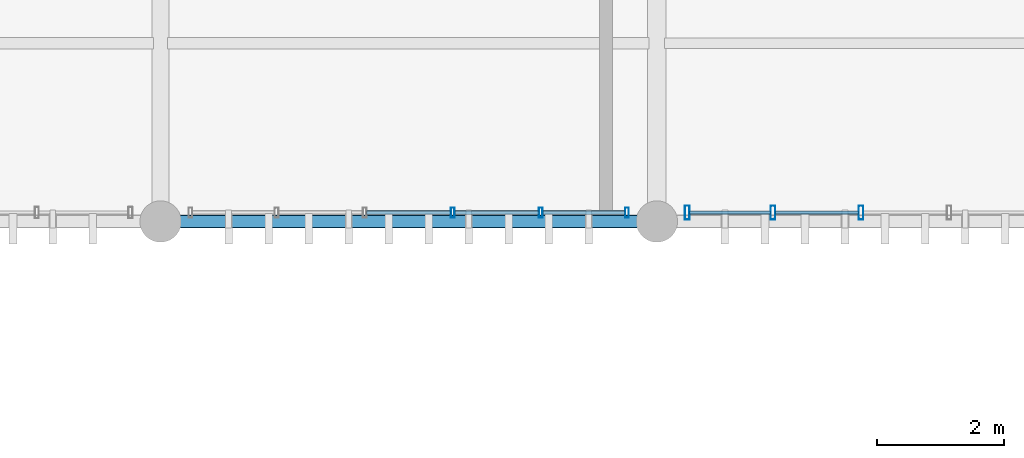
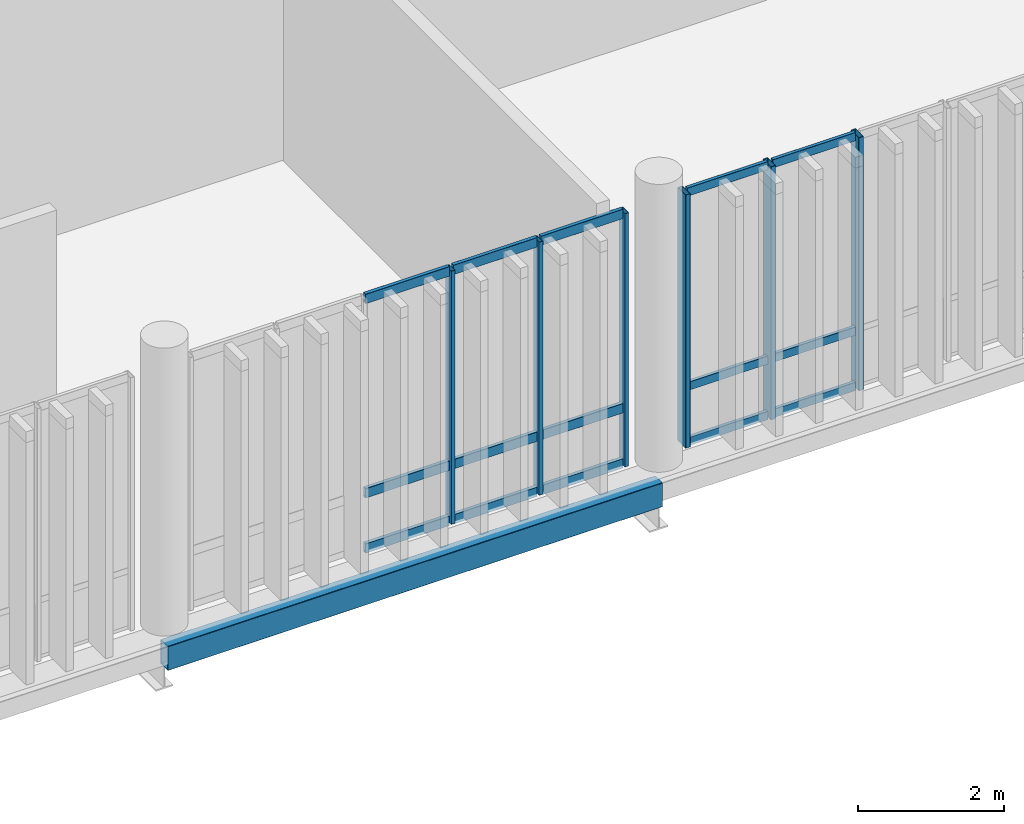
# One storey, part 46 of 86: 21 members, 1 beam, 2 elements without a shape of their own.
"""IFC4 building model written with IfcOpenShell, lengths in metres."""

from ifc_helpers import new_model, si_unit, direction, frame, origin_with_axes, origin_2d_with_axis, place, context, subcontext, project, spatial, hollow_rectangle, extrude, material, material_profile, profile_set, type_object, element, aggregate, save


model = new_model("IFC4")

# Units and contexts
model_context = context("Model", 3, precision=1e-05, world=origin_with_axes(), true_north=direction((0.0, 1.0)))
body_context = subcontext(model_context, "Body", "Model", "MODEL_VIEW")
ifc_project = project(units=[si_unit("LENGTHUNIT", "METRE"), si_unit("AREAUNIT", "SQUARE_METRE"), si_unit("VOLUMEUNIT", "CUBIC_METRE"), si_unit("PLANEANGLEUNIT", "RADIAN"), si_unit("MASSUNIT", "GRAM", prefix="KILO"), si_unit("THERMODYNAMICTEMPERATUREUNIT", "KELVIN")], contexts=[model_context])

# Site, building, storey
site_placement = place(None, origin_with_axes())
site = spatial("IfcSite", under=ifc_project, at=site_placement, CompositionType="ELEMENT")
building_placement = place(site_placement, origin_with_axes())
building = spatial("IfcBuilding", under=site, at=building_placement, Name="Montbau Bow Law Courts", CompositionType="ELEMENT")
storey_placement = place(building_placement, frame((0.0, 0.0, 29.7), z_axis=(0.0, 0.0, 1.0), x_axis=(1.0, 0.0, 0.0)))
storey = spatial("IfcBuildingStorey", under=building, at=storey_placement, Name="L06", CompositionType="ELEMENT", Elevation=29.7)

# Beam
ifc_material_1 = material(Name="Steel CSA G40.21 Grade 350WT (350 MPa)", Category="steel")
ifc_material_profile_1 = material_profile(ifc_material_1, hollow_rectangle(XDim=0.203, YDim=0.406, WallThickness=0.0127, InnerFilletRadius=0.0254, OuterFilletRadius=0.0127, at=origin_2d_with_axis()), Name="HSS406X203X13", Category="Main", Priority=0)
ifc_profile_set_1 = profile_set([ifc_material_profile_1], Name="Steel CSA G40.21 Grade 350WT (350 MPa)")
beam_type = type_object("IfcBeamType", Name="B-SPN-01", PredefinedType="SPANDREL", material=ifc_profile_set_1)
beam_placement = place(None, frame((147.0, 78.0, 29.157), z_axis=(1.0, 0.0, 0.0), x_axis=(0.0, 1.0, 0.0)))
element("IfcBeam", 1, at=beam_placement, inside=storey, type_object=beam_type, Name="SPN-L06-S1299:bm2_1302", PredefinedType="SPANDREL", context=body_context, shape_type="SweptSolid", body=[
    extrude(hollow_rectangle(XDim=0.203, YDim=0.406, WallThickness=0.0127, InnerFilletRadius=0.0254, OuterFilletRadius=0.0127, at=origin_2d_with_axis()), origin_with_axes(), (0.0, 0.0, 1.0), 7.8),
])

# Curtain wall, members
ifc_material_2 = material(Name="Thermally Broken Extruded Aluminium AA 6063-T6", Category="aluminium")
curtain_wall_type = type_object("IfcCurtainWallType", Name="CW-SLT-02", PredefinedType="NOTDEFINED", material=ifc_material_2)
curtain_wall_1_placement = place(None, frame((155.24, 78.14, 29.7), z_axis=(0.0, 0.0, 1.0), x_axis=(1.0, 0.0, 0.0)))
curtain_wall_1 = element("IfcCurtainWall", 2, at=curtain_wall_1_placement, inside=storey, type_object=curtain_wall_type, Name="CW-L06-351:cw_0351", PredefinedType="NOTDEFINED")
ifc_material_profile_2 = material_profile(ifc_material_2, hollow_rectangle(XDim=0.075, YDim=0.22, WallThickness=0.005, InnerFilletRadius=0.01, OuterFilletRadius=0.005, at=origin_2d_with_axis()), Name="CWM-220X75", Category="Main", Priority=0)
ifc_profile_set_2 = profile_set([ifc_material_profile_2], Name="Thermally Broken Extruded Aluminium AA 6063-T6")
member_type_1 = type_object("IfcMemberType", Name="M-MUL-01", PredefinedType="MULLION", material=ifc_profile_set_2)
member_1_placement = place(None, frame((155.277, 78.14, 29.7), z_axis=(0.0, 0.0, 1.0), x_axis=(1.0, 0.0, 0.0)))
member_1 = element("IfcMember", 3, at=member_1_placement, type_object=member_type_1, Name="CW-L06-351-M01:cw_0351_M01", PredefinedType="MULLION", context=body_context, shape_type="SweptSolid", body=[
    extrude(hollow_rectangle(XDim=0.075, YDim=0.22, WallThickness=0.005, InnerFilletRadius=0.01, OuterFilletRadius=0.005, at=origin_2d_with_axis()), origin_with_axes(), (0.0, 0.0, 1.0), 4.22),
])
member_2_placement = place(None, frame((156.624, 78.14, 29.7), z_axis=(0.0, 0.0, 1.0), x_axis=(1.0, 0.0, 0.0)))
member_2 = element("IfcMember", 4, at=member_2_placement, type_object=member_type_1, Name="CW-L06-351-M02:cw_0351_M02", PredefinedType="MULLION", context=body_context, shape_type="SweptSolid", body=[
    extrude(hollow_rectangle(XDim=0.075, YDim=0.22, WallThickness=0.005, InnerFilletRadius=0.01, OuterFilletRadius=0.005, at=origin_2d_with_axis()), origin_with_axes(), (0.0, 0.0, 1.0), 4.22),
])
member_3_placement = place(None, frame((158.008, 78.14, 29.7), z_axis=(0.0, 0.0, 1.0), x_axis=(1.0, 0.0, 0.0)))
member_3 = element("IfcMember", 5, at=member_3_placement, type_object=member_type_1, Name="CW-L06-351-M03:cw_0351_M03", PredefinedType="MULLION", context=body_context, shape_type="SweptSolid", body=[
    extrude(hollow_rectangle(XDim=0.075, YDim=0.22, WallThickness=0.005, InnerFilletRadius=0.01, OuterFilletRadius=0.005, at=origin_2d_with_axis()), origin_with_axes(), (0.0, 0.0, 1.0), 4.22),
])

curtain_wall_2_placement = place(None, frame((147.44, 78.14, 29.7), z_axis=(0.0, 0.0, 1.0), x_axis=(1.0, 0.0, 0.0)))
curtain_wall_2 = element("IfcCurtainWall", 6, at=curtain_wall_2_placement, inside=storey, type_object=curtain_wall_type, Name="CW-L06-350:cw_0350", PredefinedType="NOTDEFINED")
ifc_material_profile_3 = material_profile(ifc_material_2, hollow_rectangle(XDim=0.06, YDim=0.16, WallThickness=0.004, InnerFilletRadius=0.008, OuterFilletRadius=0.004, at=origin_2d_with_axis()), Name="CWM-160X60", Category="Main", Priority=0)
ifc_profile_set_3 = profile_set([ifc_material_profile_3], Name="Thermally Broken Extruded Aluminium AA 6063-T6")
member_type_2 = type_object("IfcMemberType", Name="M-MUL-03", PredefinedType="MULLION", material=ifc_profile_set_3)
member_4_placement = place(None, frame((151.592, 78.14, 29.7), z_axis=(0.0, 0.0, 1.0), x_axis=(1.0, 0.0, 0.0)))
member_4 = element("IfcMember", 7, at=member_4_placement, type_object=member_type_2, Name="CW-L06-350-M04:cw_0350_M04", PredefinedType="MULLION", context=body_context, shape_type="SweptSolid", body=[
    extrude(hollow_rectangle(XDim=0.06, YDim=0.16, WallThickness=0.004, InnerFilletRadius=0.008, OuterFilletRadius=0.004, at=origin_2d_with_axis()), origin_with_axes(), (0.0, 0.0, 1.0), 4.22),
])
member_5_placement = place(None, frame((152.976, 78.14, 29.7), z_axis=(0.0, 0.0, 1.0), x_axis=(1.0, 0.0, 0.0)))
member_5 = element("IfcMember", 8, at=member_5_placement, type_object=member_type_2, Name="CW-L06-350-M05:cw_0350_M05", PredefinedType="MULLION", context=body_context, shape_type="SweptSolid", body=[
    extrude(hollow_rectangle(XDim=0.06, YDim=0.16, WallThickness=0.004, InnerFilletRadius=0.008, OuterFilletRadius=0.004, at=origin_2d_with_axis()), origin_with_axes(), (0.0, 0.0, 1.0), 4.22),
])
member_6_placement = place(None, frame((154.33, 78.14, 29.7), z_axis=(0.0, 0.0, 1.0), x_axis=(1.0, 0.0, 0.0)))
member_6 = element("IfcMember", 9, at=member_6_placement, type_object=member_type_2, Name="CW-L06-350-M06:cw_0350_M06", PredefinedType="MULLION", context=body_context, shape_type="SweptSolid", body=[
    extrude(hollow_rectangle(XDim=0.06, YDim=0.16, WallThickness=0.004, InnerFilletRadius=0.008, OuterFilletRadius=0.004, at=origin_2d_with_axis()), origin_with_axes(), (0.0, 0.0, 1.0), 4.22),
])
ifc_material_profile_4 = material_profile(ifc_material_2, hollow_rectangle(XDim=0.06, YDim=0.16, WallThickness=0.004, InnerFilletRadius=0.008, OuterFilletRadius=0.004, at=origin_2d_with_axis()), Name="CWT-160X60", Category="Main", Priority=0)
ifc_profile_set_4 = profile_set([ifc_material_profile_4], Name="Thermally Broken Extruded Aluminium AA 6063-T6")
member_type_3 = type_object("IfcMemberType", Name="M-TRN-01", PredefinedType="USERDEFINED", material=ifc_profile_set_4)
member_7_placement = place(None, frame((150.24, 78.14, 29.73), z_axis=(1.0, 0.0, 0.0), x_axis=(0.0, 1.0, 0.0)))
member_7 = element("IfcMember", 10, at=member_7_placement, type_object=member_type_3, Name="CW-L06-350-T03-1:cw_0350_T03_1", ObjectType="TRANSOM", PredefinedType="USERDEFINED", context=body_context, shape_type="SweptSolid", body=[
    extrude(hollow_rectangle(XDim=0.06, YDim=0.16, WallThickness=0.004, InnerFilletRadius=0.008, OuterFilletRadius=0.004, at=origin_2d_with_axis()), origin_with_axes(), (0.0, 0.0, 1.0), 1.32),
])
member_8_placement = place(None, frame((150.24, 78.14, 30.65), z_axis=(1.0, 0.0, 0.0), x_axis=(0.0, 1.0, 0.0)))
member_8 = element("IfcMember", 11, at=member_8_placement, type_object=member_type_3, Name="CW-L06-350-T03-2:cw_0350_T03_2", ObjectType="TRANSOM", PredefinedType="USERDEFINED", context=body_context, shape_type="SweptSolid", body=[
    extrude(hollow_rectangle(XDim=0.06, YDim=0.16, WallThickness=0.004, InnerFilletRadius=0.008, OuterFilletRadius=0.004, at=origin_2d_with_axis()), origin_with_axes(), (0.0, 0.0, 1.0), 1.32),
])
member_9_placement = place(None, frame((150.24, 78.14, 33.89), z_axis=(1.0, 0.0, 0.0), x_axis=(0.0, 1.0, 0.0)))
member_9 = element("IfcMember", 12, at=member_9_placement, type_object=member_type_3, Name="CW-L06-350-T03-3:cw_0350_T03_3", ObjectType="TRANSOM", PredefinedType="USERDEFINED", context=body_context, shape_type="SweptSolid", body=[
    extrude(hollow_rectangle(XDim=0.06, YDim=0.16, WallThickness=0.004, InnerFilletRadius=0.008, OuterFilletRadius=0.004, at=origin_2d_with_axis()), origin_with_axes(), (0.0, 0.0, 1.0), 1.32),
])
member_10_placement = place(None, frame((151.624, 78.14, 29.73), z_axis=(1.0, 0.0, 0.0), x_axis=(0.0, 1.0, 0.0)))
member_10 = element("IfcMember", 13, at=member_10_placement, type_object=member_type_3, Name="CW-L06-350-T04-1:cw_0350_T04_1", ObjectType="TRANSOM", PredefinedType="USERDEFINED", context=body_context, shape_type="SweptSolid", body=[
    extrude(hollow_rectangle(XDim=0.06, YDim=0.16, WallThickness=0.004, InnerFilletRadius=0.008, OuterFilletRadius=0.004, at=origin_2d_with_axis()), origin_with_axes(), (0.0, 0.0, 1.0), 1.32),
])
member_11_placement = place(None, frame((151.624, 78.14, 30.65), z_axis=(1.0, 0.0, 0.0), x_axis=(0.0, 1.0, 0.0)))
member_11 = element("IfcMember", 14, at=member_11_placement, type_object=member_type_3, Name="CW-L06-350-T04-2:cw_0350_T04_2", ObjectType="TRANSOM", PredefinedType="USERDEFINED", context=body_context, shape_type="SweptSolid", body=[
    extrude(hollow_rectangle(XDim=0.06, YDim=0.16, WallThickness=0.004, InnerFilletRadius=0.008, OuterFilletRadius=0.004, at=origin_2d_with_axis()), origin_with_axes(), (0.0, 0.0, 1.0), 1.32),
])
member_12_placement = place(None, frame((151.624, 78.14, 33.89), z_axis=(1.0, 0.0, 0.0), x_axis=(0.0, 1.0, 0.0)))
member_12 = element("IfcMember", 15, at=member_12_placement, type_object=member_type_3, Name="CW-L06-350-T04-3:cw_0350_T04_3", ObjectType="TRANSOM", PredefinedType="USERDEFINED", context=body_context, shape_type="SweptSolid", body=[
    extrude(hollow_rectangle(XDim=0.06, YDim=0.16, WallThickness=0.004, InnerFilletRadius=0.008, OuterFilletRadius=0.004, at=origin_2d_with_axis()), origin_with_axes(), (0.0, 0.0, 1.0), 1.32),
])
member_13_placement = place(None, frame((153.008, 78.14, 29.73), z_axis=(1.0, 0.0, 0.0), x_axis=(0.0, 1.0, 0.0)))
member_13 = element("IfcMember", 16, at=member_13_placement, type_object=member_type_3, Name="CW-L06-350-T05-1:cw_0350_T05_1", ObjectType="TRANSOM", PredefinedType="USERDEFINED", context=body_context, shape_type="SweptSolid", body=[
    extrude(hollow_rectangle(XDim=0.06, YDim=0.16, WallThickness=0.004, InnerFilletRadius=0.008, OuterFilletRadius=0.004, at=origin_2d_with_axis()), origin_with_axes(), (0.0, 0.0, 1.0), 1.29),
])
member_14_placement = place(None, frame((153.008, 78.14, 30.65), z_axis=(1.0, 0.0, 0.0), x_axis=(0.0, 1.0, 0.0)))
member_14 = element("IfcMember", 17, at=member_14_placement, type_object=member_type_3, Name="CW-L06-350-T05-2:cw_0350_T05_2", ObjectType="TRANSOM", PredefinedType="USERDEFINED", context=body_context, shape_type="SweptSolid", body=[
    extrude(hollow_rectangle(XDim=0.06, YDim=0.16, WallThickness=0.004, InnerFilletRadius=0.008, OuterFilletRadius=0.004, at=origin_2d_with_axis()), origin_with_axes(), (0.0, 0.0, 1.0), 1.29),
])
member_15_placement = place(None, frame((153.008, 78.14, 33.89), z_axis=(1.0, 0.0, 0.0), x_axis=(0.0, 1.0, 0.0)))
member_15 = element("IfcMember", 18, at=member_15_placement, type_object=member_type_3, Name="CW-L06-350-T05-3:cw_0350_T05_3", ObjectType="TRANSOM", PredefinedType="USERDEFINED", context=body_context, shape_type="SweptSolid", body=[
    extrude(hollow_rectangle(XDim=0.06, YDim=0.16, WallThickness=0.004, InnerFilletRadius=0.008, OuterFilletRadius=0.004, at=origin_2d_with_axis()), origin_with_axes(), (0.0, 0.0, 1.0), 1.29),
])
aggregate(curtain_wall_2, [member_4, member_5, member_6, member_7, member_8, member_9, member_10, member_11, member_12, member_13, member_14, member_15])

# Member
ifc_material_profile_5 = material_profile(ifc_material_2, hollow_rectangle(XDim=0.055, YDim=0.14, WallThickness=0.004, InnerFilletRadius=0.008, OuterFilletRadius=0.004, at=origin_2d_with_axis()), Name="CWT-140X55", Category="Main", Priority=0)
ifc_profile_set_5 = profile_set([ifc_material_profile_5], Name="Thermally Broken Extruded Aluminium AA 6063-T6")
member_type_4 = type_object("IfcMemberType", Name="M-TRN-02", PredefinedType="USERDEFINED", material=ifc_profile_set_5)
member_16_placement = place(None, frame((155.316, 78.14, 29.727), z_axis=(1.0, 0.0, 0.0), x_axis=(0.0, 1.0, 0.0)))
member_16 = element("IfcMember", 19, at=member_16_placement, type_object=member_type_4, Name="CW-L06-351-T01-1:cw_0351_T01_1", ObjectType="TRANSOM", PredefinedType="USERDEFINED", context=body_context, shape_type="SweptSolid", body=[
    extrude(hollow_rectangle(XDim=0.055, YDim=0.14, WallThickness=0.004, InnerFilletRadius=0.008, OuterFilletRadius=0.004, at=origin_2d_with_axis()), origin_with_axes(), (0.0, 0.0, 1.0), 1.268),
])

member_17_placement = place(None, frame((155.316, 78.14, 30.65), z_axis=(1.0, 0.0, 0.0), x_axis=(0.0, 1.0, 0.0)))
member_17 = element("IfcMember", 20, at=member_17_placement, type_object=member_type_4, Name="CW-L06-351-T01-2:cw_0351_T01_2", ObjectType="TRANSOM", PredefinedType="USERDEFINED", context=body_context, shape_type="SweptSolid", body=[
    extrude(hollow_rectangle(XDim=0.055, YDim=0.14, WallThickness=0.004, InnerFilletRadius=0.008, OuterFilletRadius=0.004, at=origin_2d_with_axis()), origin_with_axes(), (0.0, 0.0, 1.0), 1.268),
])

member_18_placement = place(None, frame((155.316, 78.14, 33.892), z_axis=(1.0, 0.0, 0.0), x_axis=(0.0, 1.0, 0.0)))
member_18 = element("IfcMember", 21, at=member_18_placement, type_object=member_type_4, Name="CW-L06-351-T01-3:cw_0351_T01_3", ObjectType="TRANSOM", PredefinedType="USERDEFINED", context=body_context, shape_type="SweptSolid", body=[
    extrude(hollow_rectangle(XDim=0.055, YDim=0.14, WallThickness=0.004, InnerFilletRadius=0.008, OuterFilletRadius=0.004, at=origin_2d_with_axis()), origin_with_axes(), (0.0, 0.0, 1.0), 1.268),
])

member_19_placement = place(None, frame((156.663, 78.14, 29.727), z_axis=(1.0, 0.0, 0.0), x_axis=(0.0, 1.0, 0.0)))
member_19 = element("IfcMember", 22, at=member_19_placement, type_object=member_type_4, Name="CW-L06-351-T02-1:cw_0351_T02_1", ObjectType="TRANSOM", PredefinedType="USERDEFINED", context=body_context, shape_type="SweptSolid", body=[
    extrude(hollow_rectangle(XDim=0.055, YDim=0.14, WallThickness=0.004, InnerFilletRadius=0.008, OuterFilletRadius=0.004, at=origin_2d_with_axis()), origin_with_axes(), (0.0, 0.0, 1.0), 1.305),
])

member_20_placement = place(None, frame((156.663, 78.14, 30.65), z_axis=(1.0, 0.0, 0.0), x_axis=(0.0, 1.0, 0.0)))
member_20 = element("IfcMember", 23, at=member_20_placement, type_object=member_type_4, Name="CW-L06-351-T02-2:cw_0351_T02_2", ObjectType="TRANSOM", PredefinedType="USERDEFINED", context=body_context, shape_type="SweptSolid", body=[
    extrude(hollow_rectangle(XDim=0.055, YDim=0.14, WallThickness=0.004, InnerFilletRadius=0.008, OuterFilletRadius=0.004, at=origin_2d_with_axis()), origin_with_axes(), (0.0, 0.0, 1.0), 1.305),
])

member_21_placement = place(None, frame((156.663, 78.14, 33.892), z_axis=(1.0, 0.0, 0.0), x_axis=(0.0, 1.0, 0.0)))
member_21 = element("IfcMember", 24, at=member_21_placement, type_object=member_type_4, Name="CW-L06-351-T02-3:cw_0351_T02_3", ObjectType="TRANSOM", PredefinedType="USERDEFINED", context=body_context, shape_type="SweptSolid", body=[
    extrude(hollow_rectangle(XDim=0.055, YDim=0.14, WallThickness=0.004, InnerFilletRadius=0.008, OuterFilletRadius=0.004, at=origin_2d_with_axis()), origin_with_axes(), (0.0, 0.0, 1.0), 1.305),
])

aggregate(curtain_wall_1, [member_1, member_2, member_3, member_16, member_17, member_18, member_19, member_20, member_21])

save(model, "model.ifc")
